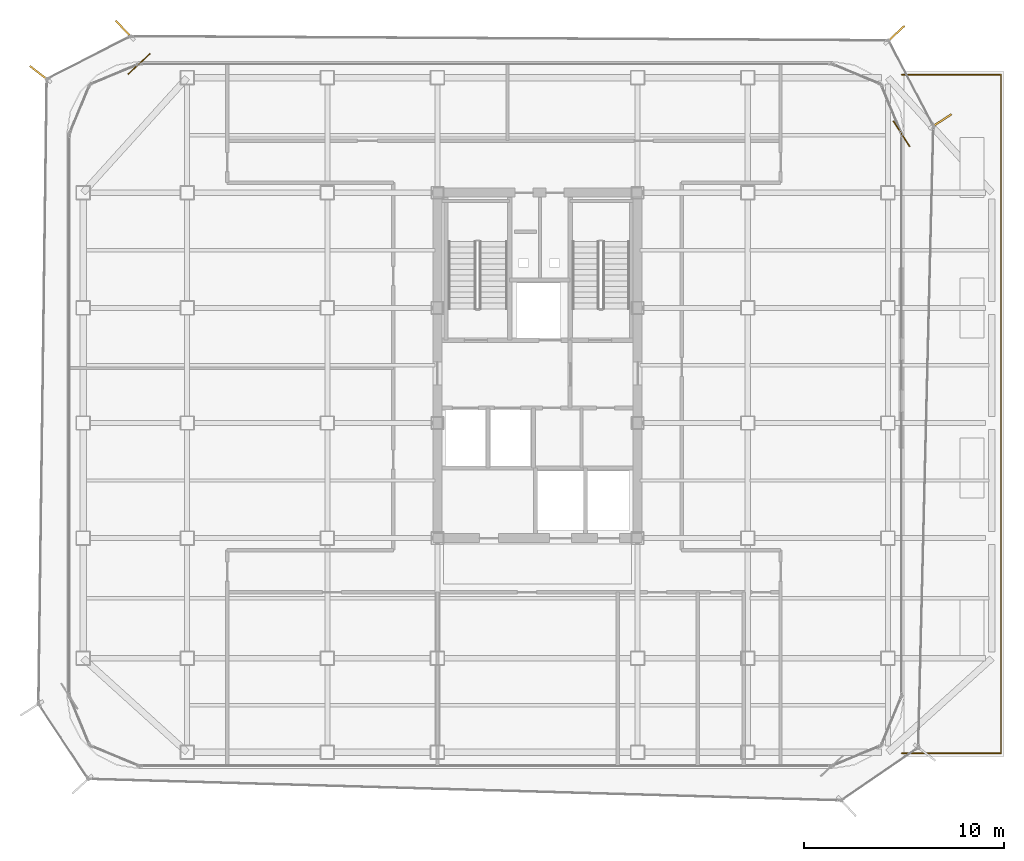
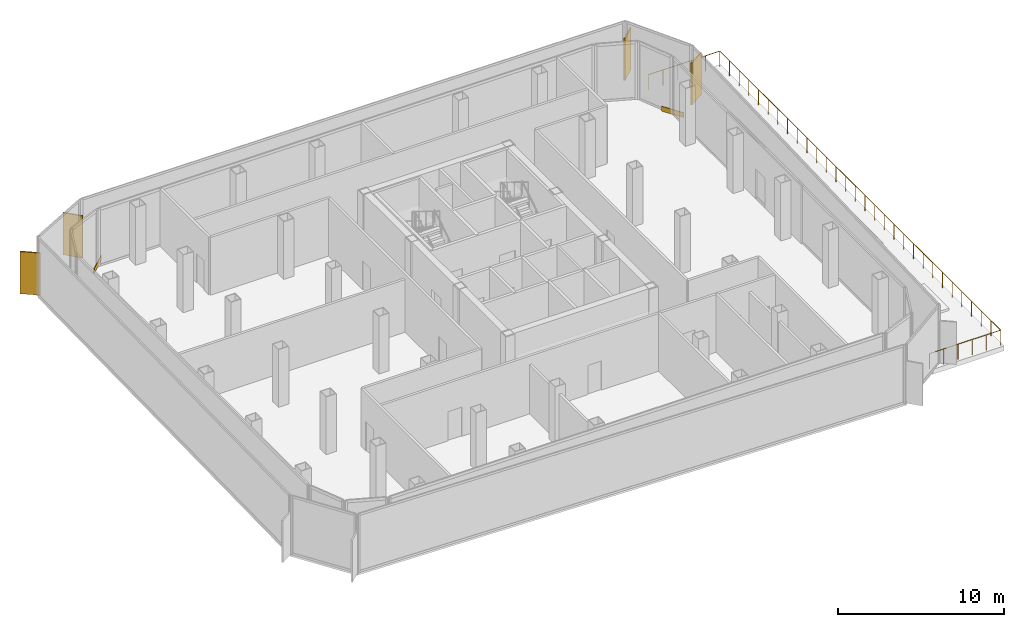
# One storey, part 14 of 14: 4 shading devices, 2 coverings, 1 railing.
"""IFC4 building model written with IfcOpenShell, lengths in metres."""

from ifc_helpers import new_model, si_unit, direction, frame, origin, origin_2d, place, context, subcontext, project, spatial, rectangle, circle, extrude, source, transform, mapped, material, layer, layer_set, type_object, element, save


model = new_model("IFC4")

# Units and contexts
model_context = context("Model", 3, precision=1e-05, world=origin(), true_north=direction((0.0, 1.0)))
body_context = subcontext(model_context, "Body", "Model", "MODEL_VIEW")
ifc_project = project(units=[si_unit("LENGTHUNIT", "METRE"), si_unit("AREAUNIT", "SQUARE_METRE"), si_unit("VOLUMEUNIT", "CUBIC_METRE"), si_unit("PLANEANGLEUNIT", "RADIAN"), si_unit("MASSUNIT", "GRAM", prefix="KILO")], contexts=[model_context])

# Site, building, storey
site_placement = place(None, origin())
site = spatial("IfcSite", under=ifc_project, at=site_placement, CompositionType="ELEMENT")
building_placement = place(site_placement, origin())
building = spatial("IfcBuilding", under=site, at=building_placement, Name="Kolveth Station Tower", CompositionType="ELEMENT")
storey_placement = place(building_placement, frame((0.0, 0.0, 151.60009765625)))
storey = spatial("IfcBuildingStorey", under=building, at=storey_placement, Name="L42", CompositionType="ELEMENT", Elevation=151.60009765625)

# Railing
ifc_material_1 = material(Name="Black anodized aluminium 6063-T6 and laminated glass", Category="aluminium")
railing_type = type_object("IfcRailingType", Name="Guard_GR1", PredefinedType="BALUSTRADE", material=ifc_material_1)
railing_placement = place(storey_placement, frame((41.699951171875, 0.75, 0.0)))
element("IfcRailing", 1, at=railing_placement, inside=storey, type_object=railing_type, Name="L42 East Sky Garden Perimeter Guard", PredefinedType="BALUSTRADE", context=body_context, shape_type="SweptSolid", body=[
    extrude(circle(Radius=0.02392578125, at=origin_2d()), frame((0.0, 0.0, 1.1259765625), z_axis=(1.0, 0.0, 0.0), x_axis=(0.0, 1.0, 0.0)), (0.0, 0.0, 1.0), 4.949951171875),
    extrude(circle(Radius=0.02392578125, at=origin_2d()), frame((4.949951171875, 0.0, 1.1259765625), z_axis=(0.0, 1.0, 0.0), x_axis=(-1.0, 0.0, 0.0)), (0.0, 0.0, 1.0), 33.89990234375),
    extrude(circle(Radius=0.02392578125, at=origin_2d()), frame((4.949951171875, 33.89990234375, 1.1259765625), z_axis=(-1.0, 0.0, 0.0), x_axis=(0.0, -1.0, 0.0)), (0.0, 0.0, 1.0), 4.949951171875),
    extrude(circle(Radius=0.02099609375, at=origin_2d()), origin(), (0.0, 0.0, 1.0), 1.101806640625),
    extrude(circle(Radius=0.02099609375, at=origin_2d()), frame((0.989990234375, 0.0, 0.0)), (0.0, 0.0, 1.0), 1.101806640625),
    extrude(circle(Radius=0.02099609375, at=origin_2d()), frame((1.97998046875, 0.0, 0.0)), (0.0, 0.0, 1.0), 1.101806640625),
    extrude(circle(Radius=0.02099609375, at=origin_2d()), frame((2.969970703125, 0.0, 0.0)), (0.0, 0.0, 1.0), 1.101806640625),
    extrude(circle(Radius=0.02099609375, at=origin_2d()), frame((3.9599609375, 0.0, 0.0)), (0.0, 0.0, 1.0), 1.101806640625),
    extrude(circle(Radius=0.02099609375, at=origin_2d()), frame((4.949951171875, 0.0, 0.0)), (0.0, 0.0, 1.0), 1.101806640625),
    extrude(circle(Radius=0.02099609375, at=origin_2d()), frame((4.949951171875, 1.1689453125, 0.0)), (0.0, 0.0, 1.0), 1.101806640625),
    extrude(circle(Radius=0.02099609375, at=origin_2d()), frame((4.949951171875, 2.337890625, 0.0)), (0.0, 0.0, 1.0), 1.101806640625),
    extrude(circle(Radius=0.02099609375, at=origin_2d()), frame((4.949951171875, 3.5068359375, 0.0)), (0.0, 0.0, 1.0), 1.101806640625),
    extrude(circle(Radius=0.02099609375, at=origin_2d()), frame((4.949951171875, 4.67578125, 0.0)), (0.0, 0.0, 1.0), 1.101806640625),
    extrude(circle(Radius=0.02099609375, at=origin_2d()), frame((4.949951171875, 5.8447265625, 0.0)), (0.0, 0.0, 1.0), 1.101806640625),
    extrude(circle(Radius=0.02099609375, at=origin_2d()), frame((4.949951171875, 7.013671875, 0.0)), (0.0, 0.0, 1.0), 1.101806640625),
    extrude(circle(Radius=0.02099609375, at=origin_2d()), frame((4.949951171875, 8.1826171875, 0.0)), (0.0, 0.0, 1.0), 1.101806640625),
    extrude(circle(Radius=0.02099609375, at=origin_2d()), frame((4.949951171875, 9.351806640625, 0.0)), (0.0, 0.0, 1.0), 1.101806640625),
    extrude(circle(Radius=0.02099609375, at=origin_2d()), frame((4.949951171875, 10.520751953125, 0.0)), (0.0, 0.0, 1.0), 1.101806640625),
    extrude(circle(Radius=0.02099609375, at=origin_2d()), frame((4.949951171875, 11.689697265625, 0.0)), (0.0, 0.0, 1.0), 1.101806640625),
    extrude(circle(Radius=0.02099609375, at=origin_2d()), frame((4.949951171875, 12.858642578125, 0.0)), (0.0, 0.0, 1.0), 1.101806640625),
    extrude(circle(Radius=0.02099609375, at=origin_2d()), frame((4.949951171875, 14.027587890625, 0.0)), (0.0, 0.0, 1.0), 1.101806640625),
    extrude(circle(Radius=0.02099609375, at=origin_2d()), frame((4.949951171875, 15.196533203125, 0.0)), (0.0, 0.0, 1.0), 1.101806640625),
    extrude(circle(Radius=0.02099609375, at=origin_2d()), frame((4.949951171875, 16.365478515625, 0.0)), (0.0, 0.0, 1.0), 1.101806640625),
    extrude(circle(Radius=0.02099609375, at=origin_2d()), frame((4.949951171875, 17.534423828125, 0.0)), (0.0, 0.0, 1.0), 1.101806640625),
    extrude(circle(Radius=0.02099609375, at=origin_2d()), frame((4.949951171875, 18.703369140625, 0.0)), (0.0, 0.0, 1.0), 1.101806640625),
    extrude(circle(Radius=0.02099609375, at=origin_2d()), frame((4.949951171875, 19.872314453125, 0.0)), (0.0, 0.0, 1.0), 1.101806640625),
    extrude(circle(Radius=0.02099609375, at=origin_2d()), frame((4.949951171875, 21.041259765625, 0.0)), (0.0, 0.0, 1.0), 1.101806640625),
    extrude(circle(Radius=0.02099609375, at=origin_2d()), frame((4.949951171875, 22.210205078125, 0.0)), (0.0, 0.0, 1.0), 1.101806640625),
    extrude(circle(Radius=0.02099609375, at=origin_2d()), frame((4.949951171875, 23.379150390625, 0.0)), (0.0, 0.0, 1.0), 1.101806640625),
    extrude(circle(Radius=0.02099609375, at=origin_2d()), frame((4.949951171875, 24.548095703125, 0.0)), (0.0, 0.0, 1.0), 1.101806640625),
    extrude(circle(Radius=0.02099609375, at=origin_2d()), frame((4.949951171875, 25.71728515625, 0.0)), (0.0, 0.0, 1.0), 1.101806640625),
    extrude(circle(Radius=0.02099609375, at=origin_2d()), frame((4.949951171875, 26.88623046875, 0.0)), (0.0, 0.0, 1.0), 1.101806640625),
    extrude(circle(Radius=0.02099609375, at=origin_2d()), frame((4.949951171875, 28.05517578125, 0.0)), (0.0, 0.0, 1.0), 1.101806640625),
    extrude(circle(Radius=0.02099609375, at=origin_2d()), frame((4.949951171875, 29.22412109375, 0.0)), (0.0, 0.0, 1.0), 1.101806640625),
    extrude(circle(Radius=0.02099609375, at=origin_2d()), frame((4.949951171875, 30.39306640625, 0.0)), (0.0, 0.0, 1.0), 1.101806640625),
    extrude(circle(Radius=0.02099609375, at=origin_2d()), frame((4.949951171875, 31.56201171875, 0.0)), (0.0, 0.0, 1.0), 1.101806640625),
    extrude(circle(Radius=0.02099609375, at=origin_2d()), frame((4.949951171875, 32.73095703125, 0.0)), (0.0, 0.0, 1.0), 1.101806640625),
    extrude(circle(Radius=0.02099609375, at=origin_2d()), frame((4.949951171875, 33.89990234375, 0.0)), (0.0, 0.0, 1.0), 1.101806640625),
    extrude(circle(Radius=0.02099609375, at=origin_2d()), frame((3.9599609375, 33.89990234375, 0.0)), (0.0, 0.0, 1.0), 1.101806640625),
    extrude(circle(Radius=0.02099609375, at=origin_2d()), frame((2.969970703125, 33.89990234375, 0.0)), (0.0, 0.0, 1.0), 1.101806640625),
    extrude(circle(Radius=0.02099609375, at=origin_2d()), frame((1.97998046875, 33.89990234375, 0.0)), (0.0, 0.0, 1.0), 1.101806640625),
    extrude(circle(Radius=0.02099609375, at=origin_2d()), frame((0.989990234375, 33.89990234375, 0.0)), (0.0, 0.0, 1.0), 1.101806640625),
    extrude(circle(Radius=0.02099609375, at=origin_2d()), frame((0.0, 33.89990234375, 0.0)), (0.0, 0.0, 1.0), 1.101806640625),
])

# Shading devices
ifc_material_2 = material(Name="Black anodized aluminium 6063-T6", Category="aluminium")
shading_device_type = type_object("IfcShadingDeviceType", Name="FIN_VF1", PredefinedType="USERDEFINED", material=ifc_material_2)
shared_shape_1 = source(origin(), body_context, "Body", "SweptSolid", [
    extrude(rectangle(XDim=1.25, YDim=0.090087890625, at=origin_2d()), origin(), (0.0, 0.0, 1.0), 3.10009765625),
])
for number, where, z_axis, x_axis, name in (
    (2, (43.653076171875, 32.33203125, -0.000244140625), (0.0, 0.0, 1.0), (0.84028285053, 0.542148255651, 0.0), "L42 Dark-Aluminium Solar Fin 3"),
    (3, (41.3701171875, 36.659912109375, -0.000244140625), (0.0, 0.0, 1.0), (0.732780470562, 0.680465121782, 0.0), "L42 Dark-Aluminium Solar Fin 4"),
    (4, (2.861083984375, 36.89111328125, -0.000244140625), (0.0, 0.0, 1.0), (-0.683910700219, 0.729565729819, 0.0), "L42 Dark-Aluminium Solar Fin 5"),
    (5, (-1.365966796875, 34.701904296875, -0.000244140625), (0.0, 0.0, 1.0), (-0.793884282702, 0.608068865901, 0.0), "L42 Dark-Aluminium Solar Fin 6"),
):
    element("IfcShadingDevice", number, at=place(storey_placement, frame(where, z_axis=z_axis, x_axis=x_axis)), inside=storey, type_object=shading_device_type, Name=name, ObjectType="FIN", PredefinedType="USERDEFINED", context=body_context, shape_type="MappedRepresentation", body=[
        mapped(shared_shape_1, transform((0.0, 0.0, 0.0), x_axis=(1.0, 0.0, 0.0), y_axis=(0.0, 1.0, 0.0), z_axis=(0.0, 0.0, 1.0), scale=1.0)),
    ])

# Coverings
ifc_material_3 = material(Name="Charcoal anodized aluminium spandrel cladding", Category="aluminium")
ifc_layer = layer(ifc_material_3, 0.044921875)
ifc_layer_set = layer_set([ifc_layer], Name="Charcoal anodized aluminium spandrel cladding")
covering_type = type_object("IfcCoveringType", Name="Clad_CD1", PredefinedType="CLADDING", material=ifc_layer_set)
shared_shape_2 = source(origin(), body_context, "Body", "SweptSolid", [
    extrude(rectangle(XDim=1.5, YDim=0.044921875, at=origin_2d()), origin(), (0.0, 0.0, 1.0), 0.360107421875),
])
for number, where, z_axis, x_axis, name in (
    (6, (41.679931640625, 31.699951171875, 0.0), (0.0, 0.0, 1.0), (-0.542148255651, 0.84028285053, 0.0), "L42 Spandrel Edge Cladding 3"),
    (7, (3.60009765625, 35.179931640625, 0.0), (0.0, 0.0, 1.0), (-0.729565729819, -0.683910700219, 0.0), "L42 Spandrel Edge Cladding 5"),
):
    element("IfcCovering", number, at=place(storey_placement, frame(where, z_axis=z_axis, x_axis=x_axis)), inside=storey, type_object=covering_type, Name=name, PredefinedType="CLADDING", context=body_context, shape_type="MappedRepresentation", body=[
        mapped(shared_shape_2, transform((0.0, 0.0, 0.0), x_axis=(1.0, 0.0, 0.0), y_axis=(0.0, 1.0, 0.0), z_axis=(0.0, 0.0, 1.0), scale=1.0)),
    ])

save(model, "model.ifc")
